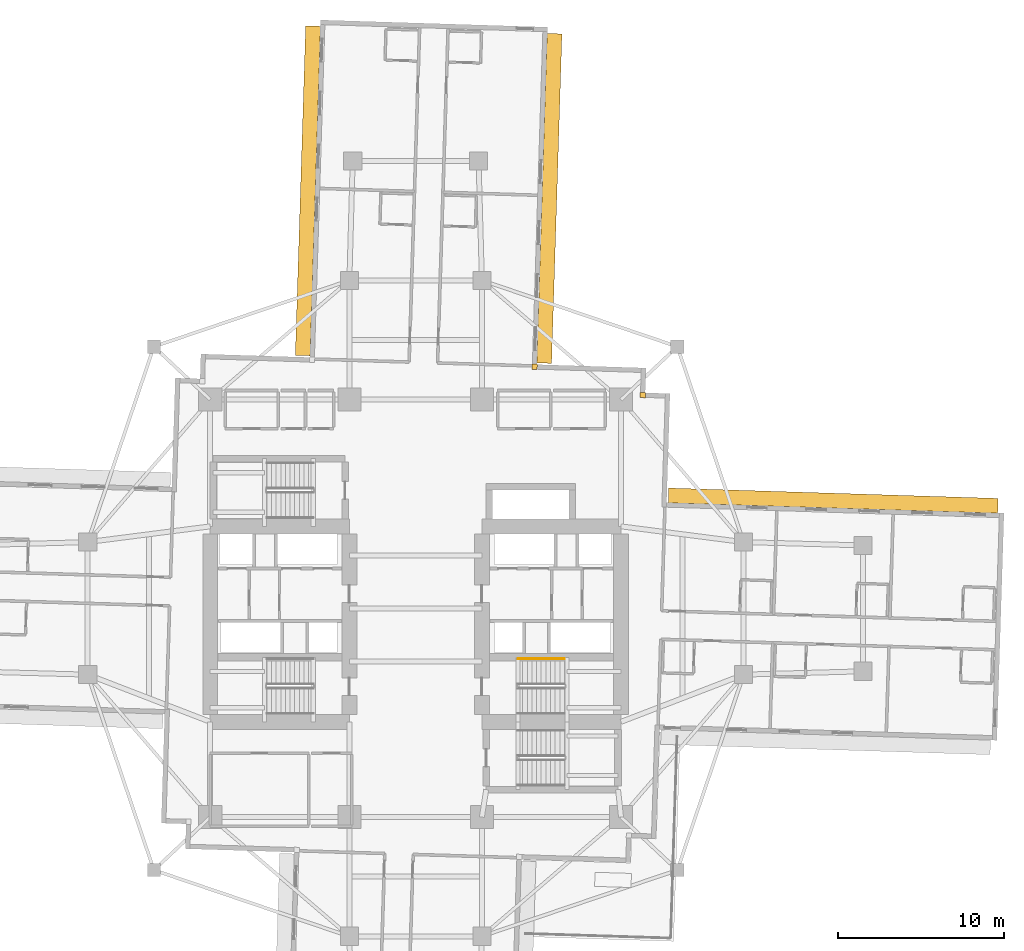
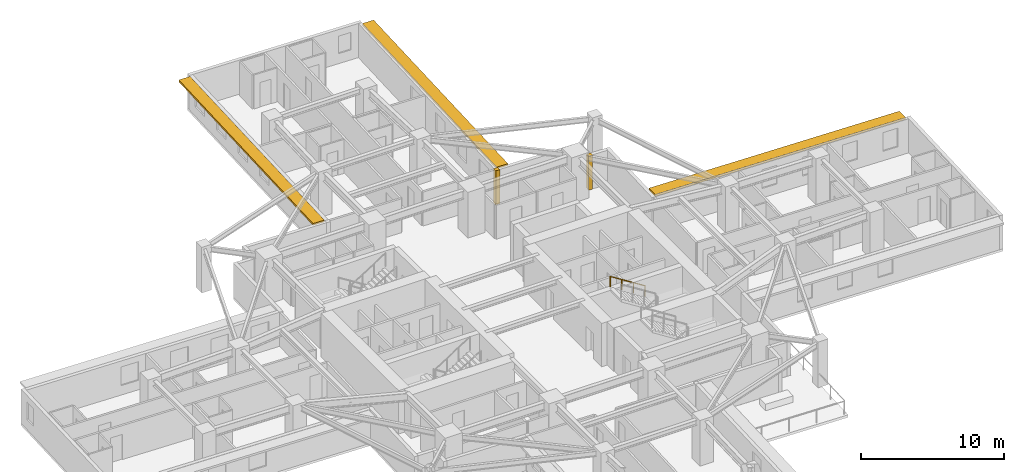
# One storey, part 13 of 13: 3 shading devices, 2 coverings, 1 railing.
"""IFC4 building model written with IfcOpenShell, lengths in metres."""

from ifc_helpers import new_model, si_unit, direction, frame, origin, origin_2d, place, context, subcontext, project, spatial, rectangle, circle, extrude, material, layer, layer_set, type_object, element, save


model = new_model("IFC4")

# Units and contexts
model_context = context("Model", 3, precision=1e-05, world=origin(), true_north=direction((0.0, 1.0)))
body_context = subcontext(model_context, "Body", "Model", "MODEL_VIEW")
ifc_project = project(units=[si_unit("LENGTHUNIT", "METRE"), si_unit("AREAUNIT", "SQUARE_METRE"), si_unit("VOLUMEUNIT", "CUBIC_METRE"), si_unit("PLANEANGLEUNIT", "RADIAN"), si_unit("MASSUNIT", "GRAM", prefix="KILO")], contexts=[model_context])

# Site, building, storey
site_placement = place(None, origin())
site = spatial("IfcSite", under=ifc_project, at=site_placement, CompositionType="ELEMENT")
building_placement = place(site_placement, origin())
building = spatial("IfcBuilding", under=site, at=building_placement, Name="Qingluan Cross Belvedere", CompositionType="ELEMENT")
storey_placement = place(building_placement, frame((0.0, 0.0, 71.699951171875)))
storey = spatial("IfcBuildingStorey", under=building, at=storey_placement, Name="L18", CompositionType="ELEMENT", Elevation=71.699951171875)

# Coverings
ifc_material_1 = material(Name="Precast concrete C45", Category="concrete")
ifc_layer_1 = layer(ifc_material_1, 0.1201171875, Name="ConcreteSpandrelCladding_120")
ifc_layer_set_1 = layer_set([ifc_layer_1], Name="Precast concrete C45")
covering_type = type_object("IfcCoveringType", Name="ConcreteSpandrelCladding_120", PredefinedType="CLADDING", material=ifc_layer_set_1)
for number, where, z_axis, x_axis, name in (
    (1, (13.711181640625, 12.875732421875, 0.0), (0.0, 0.0, 1.0), (0.999506560366, -0.031410759078, 0.0), "Corner closure L18-NE1"),
    (2, (7.181640625, 14.58154296875, 0.0), (0.0, 0.0, 1.0), (0.999506560366, -0.031410759078, 0.0), "Corner closure L18-NE2"),
):
    element("IfcCovering", number, at=place(storey_placement, frame(where, z_axis=z_axis, x_axis=x_axis)), inside=storey, type_object=covering_type, Name=name, PredefinedType="CLADDING", context=body_context, shape_type="SweptSolid", body=[
        extrude(rectangle(XDim=0.320068359375, YDim=0.320068359375, at=origin_2d()), origin(), (0.0, 0.0, 1.0), 2.909912109375),
    ])

# Shading devices
ifc_material_2 = material(Name="Precast concrete C45", Category="concrete")
ifc_layer_2 = layer(ifc_material_2, 0.159912109375, Name="ConcreteSunshadeBand_900")
ifc_layer_set_2 = layer_set([ifc_layer_2], Name="Precast concrete C45")
shading_device_type = type_object("IfcShadingDeviceType", Name="ConcreteSunshadeBand_900", PredefinedType="USERDEFINED", material=ifc_layer_set_2)
for number, where, z_axis, x_axis, name in (
    (3, (25.206787109375, 6.50146484375, 2.72998046875), (0.0, 0.0, 1.0), (-0.999506649124, 0.031407934627, 0.0), "Concrete SUNSHADE L18-EB"),
    (4, (8.0712890625, 24.74853515625, 2.72998046875), (0.0, 0.0, 1.0), (0.031407934627, 0.999506649124, 0.0), "Concrete SUNSHADE L18-NA"),
    (5, (-6.50146484375, 25.206787109375, 2.72998046875), (0.0, 0.0, 1.0), (-0.031407934627, -0.999506649124, 0.0), "Concrete SUNSHADE L18-NB"),
):
    element("IfcShadingDevice", number, at=place(storey_placement, frame(where, z_axis=z_axis, x_axis=x_axis)), inside=storey, type_object=shading_device_type, Name=name, ObjectType="SUNSHADE", PredefinedType="USERDEFINED", context=body_context, shape_type="SweptSolid", body=[
        extrude(rectangle(XDim=19.89990234375, YDim=0.89990234375, at=origin_2d()), origin(), (0.0, 0.0, 1.0), 0.159912109375),
    ])

# Railing
ifc_material_3 = material(Name="Brushed stainless steel tubular handrail", Category="steel")
railing_type = type_object("IfcRailingType", Name="StairPitchHandrail_900", PredefinedType="HANDRAIL", material=ifc_material_3)
railing_placement = place(storey_placement, frame((8.97998046875, -3.050048828125, 2.12744140625)))
element("IfcRailing", 6, at=railing_placement, inside=storey, type_object=railing_type, Name="L18 ST2 stair handrail 2", PredefinedType="HANDRAIL", context=body_context, shape_type="SweptSolid", body=[
    extrude(circle(Radius=0.02392578125, at=origin_2d()), frame((0.0, 0.0, 0.8759765625), z_axis=(-0.844908973607, 0.0, 0.534910110503), x_axis=(0.0, -1.0, 0.0)), (0.0, 0.0, 1.0), 3.31396484375),
    extrude(circle(Radius=0.02099609375, at=origin_2d()), origin(), (0.0, 0.0, 1.0), 0.851806640625),
    extrude(circle(Radius=0.02099609375, at=origin_2d()), frame((-0.933349609375, 0.0, 0.5908203125)), (0.0, 0.0, 1.0), 0.851806640625),
    extrude(circle(Radius=0.02099609375, at=origin_2d()), frame((-1.86669921875, 0.0, 1.181884765625)), (0.0, 0.0, 1.0), 0.851806640625),
    extrude(circle(Radius=0.02099609375, at=origin_2d()), frame((-2.800048828125, 0.0, 1.772705078125)), (0.0, 0.0, 1.0), 0.851806640625),
])

save(model, "model.ifc")
